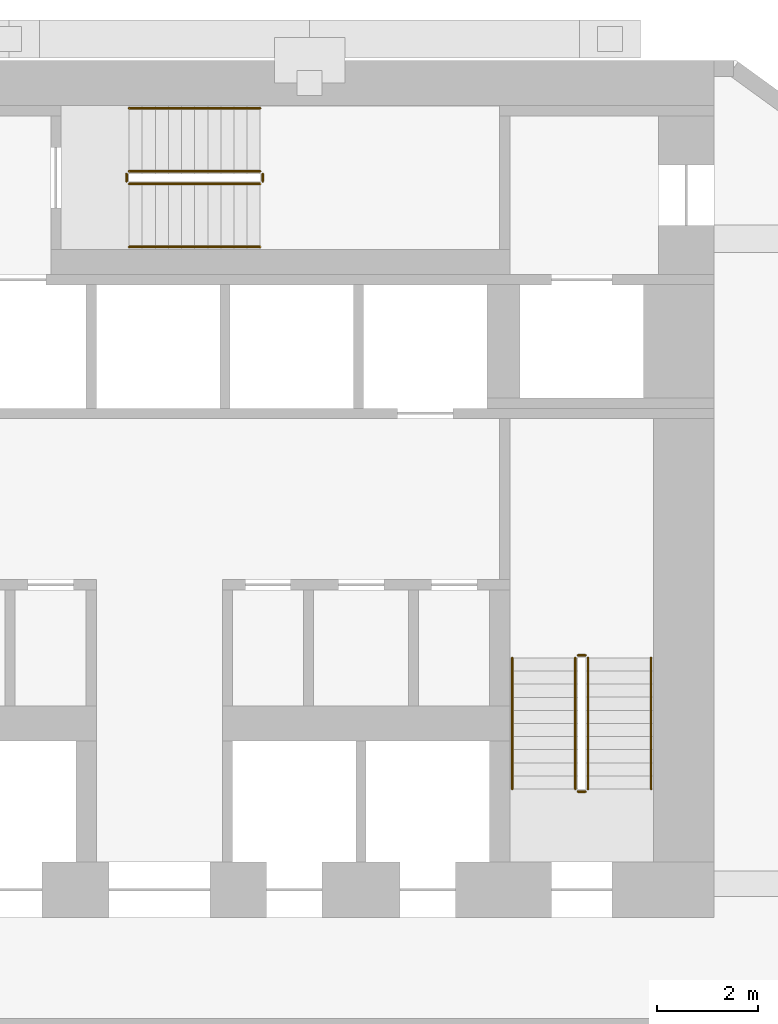
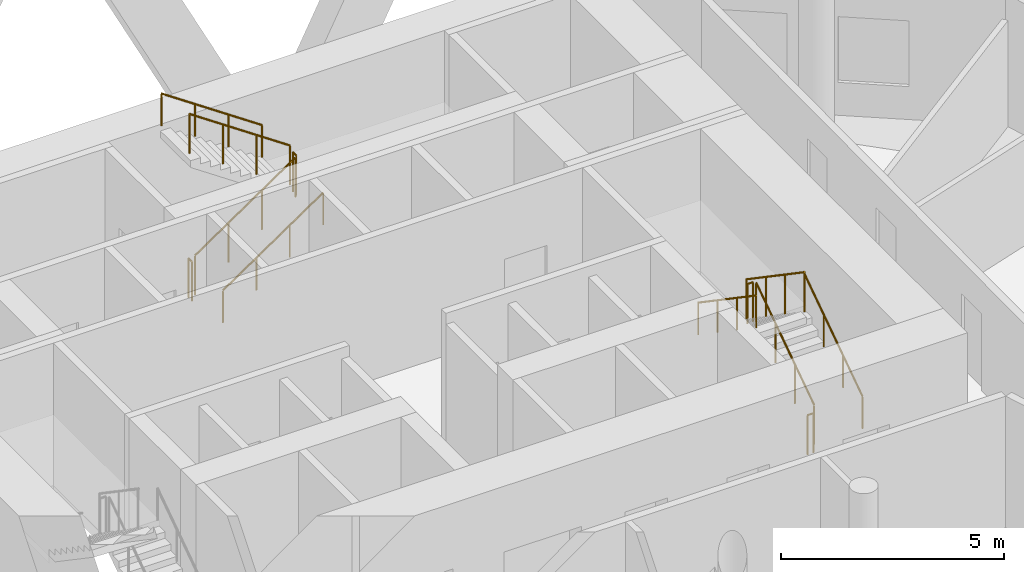
# One storey, part 10 of 10: 12 railings.
"""IFC4 building model written with IfcOpenShell, lengths in metres."""

from ifc_helpers import new_model, si_unit, direction, frame, origin, origin_2d, place, context, subcontext, project, spatial, circle, extrude, material, type_object, element, save


model = new_model("IFC4")

# Units and contexts
model_context = context("Model", 3, precision=1e-05, world=origin(), true_north=direction((0.0, 1.0)))
body_context = subcontext(model_context, "Body", "Model", "MODEL_VIEW")
ifc_project = project(units=[si_unit("LENGTHUNIT", "METRE"), si_unit("AREAUNIT", "SQUARE_METRE"), si_unit("VOLUMEUNIT", "CUBIC_METRE"), si_unit("PLANEANGLEUNIT", "RADIAN"), si_unit("MASSUNIT", "GRAM", prefix="KILO")], contexts=[model_context])

# Site, building, storey
site_placement = place(None, origin())
site = spatial("IfcSite", under=ifc_project, at=site_placement, CompositionType="ELEMENT")
building_placement = place(site_placement, origin())
building = spatial("IfcBuilding", under=site, at=building_placement, Name="White Candle Pilgrim Tower", CompositionType="ELEMENT")
storey_placement = place(building_placement, frame((0.0, 0.0, 125.89990234375)))
storey = spatial("IfcBuildingStorey", under=building, at=storey_placement, Name="L28", CompositionType="ELEMENT", Elevation=125.89990234375)

# Railings
ifc_material = material(Name="Stainless steel", Category="steel")
railing_type_1 = type_object("IfcRailingType", Name="Stair guard stainless steel 1100 mm", PredefinedType="GUARDRAIL", material=ifc_material)
railing_1_placement = place(storey_placement, frame((78.5, 73.550048828125, 0.177490234375)))
element("IfcRailing", 1, at=railing_1_placement, inside=storey, type_object=railing_type_1, Name="L28 ST2 stair guard 1", PredefinedType="GUARDRAIL", context=body_context, shape_type="SweptSolid", body=[
    extrude(circle(Radius=0.02392578125, at=origin_2d()), frame((0.0, 0.0, 1.076171875), z_axis=(0.0, 0.826215852431, 0.563353676824), x_axis=(-1.0, 0.0, 0.0)), (0.0, 0.0, 1.0), 3.146728515625),
    extrude(circle(Radius=0.02099609375, at=origin_2d()), origin(), (0.0, 0.0, 1.0), 1.052001953125),
    extrude(circle(Radius=0.02099609375, at=origin_2d()), frame((0.0, 0.86669921875, 0.5908203125)), (0.0, 0.0, 1.0), 1.052001953125),
    extrude(circle(Radius=0.02099609375, at=origin_2d()), frame((0.0, 1.733154296875, 1.181884765625)), (0.0, 0.0, 1.0), 1.052001953125),
    extrude(circle(Radius=0.02099609375, at=origin_2d()), frame((0.0, 2.599853515625, 1.772705078125)), (0.0, 0.0, 1.0), 1.052001953125),
])
railing_2_placement = place(storey_placement, frame((78.449951171875, 76.199951171875, 1.9501953125)))
element("IfcRailing", 2, at=railing_2_placement, inside=storey, type_object=railing_type_1, Name="L28 ST2 stair guard 2", PredefinedType="GUARDRAIL", context=body_context, shape_type="SweptSolid", body=[
    extrude(circle(Radius=0.02392578125, at=origin_2d()), frame((0.0, 0.0, 1.076171875), z_axis=(-1.0, 0.0, 0.0), x_axis=(0.0, -1.0, 0.0)), (0.0, 0.0, 1.0), 0.14990234375),
    extrude(circle(Radius=0.02099609375, at=origin_2d()), origin(), (0.0, 0.0, 1.0), 1.052001953125),
    extrude(circle(Radius=0.02099609375, at=origin_2d()), frame((-0.14990234375, 0.0, 0.0)), (0.0, 0.0, 1.0), 1.052001953125),
])
railing_3_placement = place(storey_placement, frame((78.25, 76.14990234375, 2.12744140625)))
element("IfcRailing", 3, at=railing_3_placement, inside=storey, type_object=railing_type_1, Name="L28 ST2 stair guard 3", PredefinedType="GUARDRAIL", context=body_context, shape_type="SweptSolid", body=[
    extrude(circle(Radius=0.02392578125, at=origin_2d()), frame((0.0, 0.0, 1.076171875), z_axis=(0.0, -0.826215852431, 0.563353676824), x_axis=(1.0, 0.0, 0.0)), (0.0, 0.0, 1.0), 3.146728515625),
    extrude(circle(Radius=0.02099609375, at=origin_2d()), origin(), (0.0, 0.0, 1.0), 1.052001953125),
    extrude(circle(Radius=0.02099609375, at=origin_2d()), frame((0.0, -0.86669921875, 0.5908203125)), (0.0, 0.0, 1.0), 1.052001953125),
    extrude(circle(Radius=0.02099609375, at=origin_2d()), frame((0.0, -1.733154296875, 1.181884765625)), (0.0, 0.0, 1.0), 1.052001953125),
    extrude(circle(Radius=0.02099609375, at=origin_2d()), frame((0.0, -2.599853515625, 1.772705078125)), (0.0, 0.0, 1.0), 1.052001953125),
])
railing_4_placement = place(storey_placement, frame((78.449951171875, 73.5, 0.0)))
element("IfcRailing", 4, at=railing_4_placement, inside=storey, type_object=railing_type_1, Name="L28 ST2 stair guard 4", PredefinedType="GUARDRAIL", context=body_context, shape_type="SweptSolid", body=[
    extrude(circle(Radius=0.02392578125, at=origin_2d()), frame((0.0, 0.0, 1.076171875), z_axis=(-1.0, 0.0, 0.0), x_axis=(0.0, -1.0, 0.0)), (0.0, 0.0, 1.0), 0.14990234375),
    extrude(circle(Radius=0.02099609375, at=origin_2d()), origin(), (0.0, 0.0, 1.0), 1.052001953125),
    extrude(circle(Radius=0.02099609375, at=origin_2d()), frame((-0.14990234375, 0.0, 0.0)), (0.0, 0.0, 1.0), 1.052001953125),
])
railing_5_placement = place(storey_placement, frame((69.39990234375, 85.550048828125, 0.177490234375)))
element("IfcRailing", 5, at=railing_5_placement, inside=storey, type_object=railing_type_1, Name="L28 ST3 stair guard 1", PredefinedType="GUARDRAIL", context=body_context, shape_type="SweptSolid", body=[
    extrude(circle(Radius=0.02392578125, at=origin_2d()), frame((0.0, 0.0, 1.076171875), z_axis=(0.826240473404, 0.0, 0.563317565952), x_axis=(0.0, 1.0, 0.0)), (0.0, 0.0, 1.0), 3.14697265625),
    extrude(circle(Radius=0.02099609375, at=origin_2d()), origin(), (0.0, 0.0, 1.0), 1.052001953125),
    extrude(circle(Radius=0.02099609375, at=origin_2d()), frame((0.86669921875, 0.0, 0.5908203125)), (0.0, 0.0, 1.0), 1.052001953125),
    extrude(circle(Radius=0.02099609375, at=origin_2d()), frame((1.7333984375, 0.0, 1.181884765625)), (0.0, 0.0, 1.0), 1.052001953125),
    extrude(circle(Radius=0.02099609375, at=origin_2d()), frame((2.60009765625, 0.0, 1.772705078125)), (0.0, 0.0, 1.0), 1.052001953125),
])
railing_6_placement = place(storey_placement, frame((72.050048828125, 85.60009765625, 1.9501953125)))
element("IfcRailing", 6, at=railing_6_placement, inside=storey, type_object=railing_type_1, Name="L28 ST3 stair guard 2", PredefinedType="GUARDRAIL", context=body_context, shape_type="SweptSolid", body=[
    extrude(circle(Radius=0.02392578125, at=origin_2d()), frame((0.0, 0.0, 1.076171875), z_axis=(0.0, 1.0, 0.0), x_axis=(-1.0, 0.0, 0.0)), (0.0, 0.0, 1.0), 0.14990234375),
    extrude(circle(Radius=0.02099609375, at=origin_2d()), origin(), (0.0, 0.0, 1.0), 1.052001953125),
    extrude(circle(Radius=0.02099609375, at=origin_2d()), frame((0.0, 0.14990234375, 0.0)), (0.0, 0.0, 1.0), 1.052001953125),
])
railing_7_placement = place(storey_placement, frame((72.0, 85.800048828125, 2.12744140625)))
element("IfcRailing", 7, at=railing_7_placement, inside=storey, type_object=railing_type_1, Name="L28 ST3 stair guard 3", PredefinedType="GUARDRAIL", context=body_context, shape_type="SweptSolid", body=[
    extrude(circle(Radius=0.02392578125, at=origin_2d()), frame((0.0, 0.0, 1.076171875), z_axis=(-0.826240473404, 0.0, 0.563317565952), x_axis=(0.0, -1.0, 0.0)), (0.0, 0.0, 1.0), 3.14697265625),
    extrude(circle(Radius=0.02099609375, at=origin_2d()), origin(), (0.0, 0.0, 1.0), 1.052001953125),
    extrude(circle(Radius=0.02099609375, at=origin_2d()), frame((-0.86669921875, 0.0, 0.5908203125)), (0.0, 0.0, 1.0), 1.052001953125),
    extrude(circle(Radius=0.02099609375, at=origin_2d()), frame((-1.7333984375, 0.0, 1.181884765625)), (0.0, 0.0, 1.0), 1.052001953125),
    extrude(circle(Radius=0.02099609375, at=origin_2d()), frame((-2.60009765625, 0.0, 1.772705078125)), (0.0, 0.0, 1.0), 1.052001953125),
])
railing_8_placement = place(storey_placement, frame((69.35009765625, 85.60009765625, 0.0)))
element("IfcRailing", 8, at=railing_8_placement, inside=storey, type_object=railing_type_1, Name="L28 ST3 stair guard 4", PredefinedType="GUARDRAIL", context=body_context, shape_type="SweptSolid", body=[
    extrude(circle(Radius=0.02392578125, at=origin_2d()), frame((0.0, 0.0, 1.076171875), z_axis=(0.0, 1.0, 0.0), x_axis=(-1.0, 0.0, 0.0)), (0.0, 0.0, 1.0), 0.14990234375),
    extrude(circle(Radius=0.02099609375, at=origin_2d()), origin(), (0.0, 0.0, 1.0), 1.052001953125),
    extrude(circle(Radius=0.02099609375, at=origin_2d()), frame((0.0, 0.14990234375, 0.0)), (0.0, 0.0, 1.0), 1.052001953125),
])
railing_type_2 = type_object("IfcRailingType", Name="Stair handrail stainless steel", PredefinedType="HANDRAIL", material=ifc_material)
railing_9_placement = place(storey_placement, frame((79.75, 73.550048828125, 0.177490234375)))
element("IfcRailing", 9, at=railing_9_placement, inside=storey, type_object=railing_type_2, Name="L28 ST2 stair handrail 1", PredefinedType="HANDRAIL", context=body_context, shape_type="SweptSolid", body=[
    extrude(circle(Radius=0.02392578125, at=origin_2d()), frame((0.0, 0.0, 0.8759765625), z_axis=(0.0, 0.826215852431, 0.563353676824), x_axis=(-1.0, 0.0, 0.0)), (0.0, 0.0, 1.0), 3.146728515625),
    extrude(circle(Radius=0.02099609375, at=origin_2d()), origin(), (0.0, 0.0, 1.0), 0.851806640625),
    extrude(circle(Radius=0.02099609375, at=origin_2d()), frame((0.0, 0.86669921875, 0.5908203125)), (0.0, 0.0, 1.0), 0.851806640625),
    extrude(circle(Radius=0.02099609375, at=origin_2d()), frame((0.0, 1.733154296875, 1.181884765625)), (0.0, 0.0, 1.0), 0.851806640625),
    extrude(circle(Radius=0.02099609375, at=origin_2d()), frame((0.0, 2.599853515625, 1.772705078125)), (0.0, 0.0, 1.0), 0.851806640625),
])
railing_10_placement = place(storey_placement, frame((77.0, 76.14990234375, 2.12744140625)))
element("IfcRailing", 10, at=railing_10_placement, inside=storey, type_object=railing_type_2, Name="L28 ST2 stair handrail 2", PredefinedType="HANDRAIL", context=body_context, shape_type="SweptSolid", body=[
    extrude(circle(Radius=0.02392578125, at=origin_2d()), frame((0.0, 0.0, 0.8759765625), z_axis=(0.0, -0.826215852431, 0.563353676824), x_axis=(1.0, 0.0, 0.0)), (0.0, 0.0, 1.0), 3.146728515625),
    extrude(circle(Radius=0.02099609375, at=origin_2d()), origin(), (0.0, 0.0, 1.0), 0.851806640625),
    extrude(circle(Radius=0.02099609375, at=origin_2d()), frame((0.0, -0.86669921875, 0.5908203125)), (0.0, 0.0, 1.0), 0.851806640625),
    extrude(circle(Radius=0.02099609375, at=origin_2d()), frame((0.0, -1.733154296875, 1.181884765625)), (0.0, 0.0, 1.0), 0.851806640625),
    extrude(circle(Radius=0.02099609375, at=origin_2d()), frame((0.0, -2.599853515625, 1.772705078125)), (0.0, 0.0, 1.0), 0.851806640625),
])
railing_11_placement = place(storey_placement, frame((69.39990234375, 84.300048828125, 0.177490234375)))
element("IfcRailing", 11, at=railing_11_placement, inside=storey, type_object=railing_type_2, Name="L28 ST3 stair handrail 1", PredefinedType="HANDRAIL", context=body_context, shape_type="SweptSolid", body=[
    extrude(circle(Radius=0.02392578125, at=origin_2d()), frame((0.0, 0.0, 0.8759765625), z_axis=(0.826240473404, 0.0, 0.563317565952), x_axis=(0.0, 1.0, 0.0)), (0.0, 0.0, 1.0), 3.14697265625),
    extrude(circle(Radius=0.02099609375, at=origin_2d()), origin(), (0.0, 0.0, 1.0), 0.851806640625),
    extrude(circle(Radius=0.02099609375, at=origin_2d()), frame((0.86669921875, 0.0, 0.5908203125)), (0.0, 0.0, 1.0), 0.851806640625),
    extrude(circle(Radius=0.02099609375, at=origin_2d()), frame((1.7333984375, 0.0, 1.181884765625)), (0.0, 0.0, 1.0), 0.851806640625),
    extrude(circle(Radius=0.02099609375, at=origin_2d()), frame((2.60009765625, 0.0, 1.772705078125)), (0.0, 0.0, 1.0), 0.851806640625),
])
railing_12_placement = place(storey_placement, frame((72.0, 87.050048828125, 2.12744140625)))
element("IfcRailing", 12, at=railing_12_placement, inside=storey, type_object=railing_type_2, Name="L28 ST3 stair handrail 2", PredefinedType="HANDRAIL", context=body_context, shape_type="SweptSolid", body=[
    extrude(circle(Radius=0.02392578125, at=origin_2d()), frame((0.0, 0.0, 0.8759765625), z_axis=(-0.826240473404, 0.0, 0.563317565952), x_axis=(0.0, -1.0, 0.0)), (0.0, 0.0, 1.0), 3.14697265625),
    extrude(circle(Radius=0.02099609375, at=origin_2d()), origin(), (0.0, 0.0, 1.0), 0.851806640625),
    extrude(circle(Radius=0.02099609375, at=origin_2d()), frame((-0.86669921875, 0.0, 0.5908203125)), (0.0, 0.0, 1.0), 0.851806640625),
    extrude(circle(Radius=0.02099609375, at=origin_2d()), frame((-1.7333984375, 0.0, 1.181884765625)), (0.0, 0.0, 1.0), 0.851806640625),
    extrude(circle(Radius=0.02099609375, at=origin_2d()), frame((-2.60009765625, 0.0, 1.772705078125)), (0.0, 0.0, 1.0), 0.851806640625),
])

save(model, "model.ifc")
